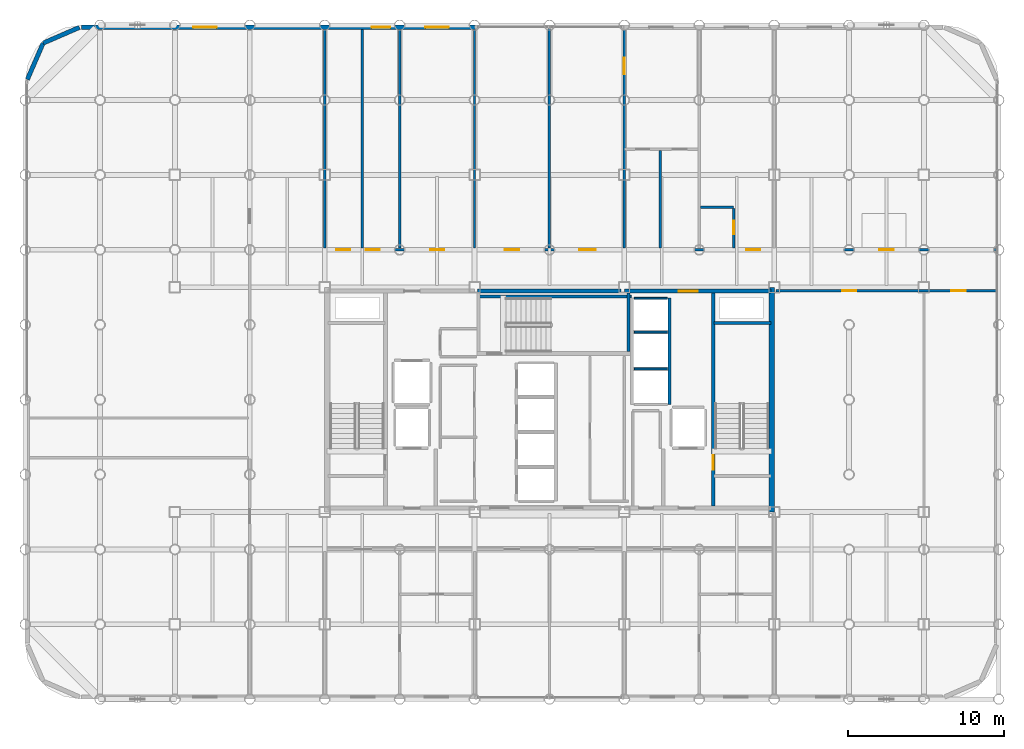
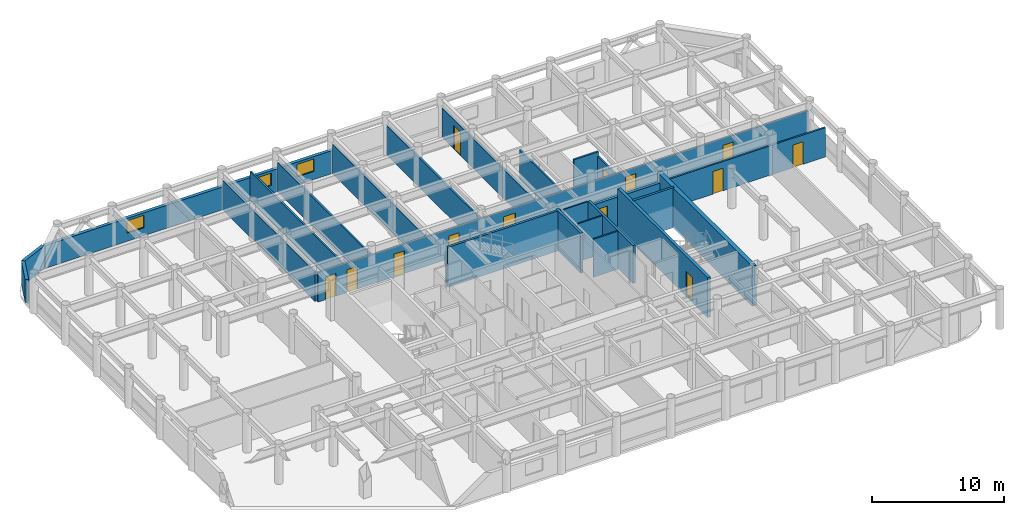
# One storey, part 18 of 21: 25 walls, 13 doors, 3 windows, 16 openings.
"""IFC4 building model written with IfcOpenShell, lengths in metres."""

from ifc_helpers import new_model, si_unit, direction, frame, frame_2d, origin, place, context, subcontext, project, spatial, rectangle, extrude, material, layer, layer_set, type_object, element, fill, save


model = new_model("IFC4")

# Units and contexts
model_context = context("Model", 3, precision=1e-05, world=origin(), true_north=direction((0.0, 1.0)))
body_context = subcontext(model_context, "Body", "Model", "MODEL_VIEW")
ifc_project = project(units=[si_unit("LENGTHUNIT", "METRE"), si_unit("AREAUNIT", "SQUARE_METRE"), si_unit("VOLUMEUNIT", "CUBIC_METRE"), si_unit("PLANEANGLEUNIT", "RADIAN"), si_unit("MASSUNIT", "GRAM", prefix="KILO")], contexts=[model_context])

# Site, building, storey
site_placement = place(None, origin())
site = spatial("IfcSite", under=ifc_project, at=site_placement, CompositionType="ELEMENT")
building_placement = place(site_placement, origin())
building = spatial("IfcBuilding", under=site, at=building_placement, Name="Kallvorn Hotel Tower", CompositionType="ELEMENT")
storey_placement = place(building_placement, frame((0.0, 0.0, 139.60009765625)))
storey = spatial("IfcBuildingStorey", under=building, at=storey_placement, Name="L34", CompositionType="ELEMENT", Elevation=139.60009765625)

# Wall
ifc_material_1 = material(Name="Concrete C50/60", Category="concrete")
ifc_layer_1 = layer(ifc_material_1, 0.35009765625)
ifc_layer_set_1 = layer_set([ifc_layer_1], Name="WL_CORE_350")
wall_type_1 = type_object("IfcWallType", Name="WL_CORE_350", PredefinedType="SHEAR", material=ifc_layer_set_1)
wall_1_placement = place(storey_placement, frame((14.239990234375, -7.199951171875, -0.18017578125), z_axis=(0.0, 0.0, 1.0), x_axis=(0.0, 1.0, 0.0)))
element("IfcWall", 1, at=wall_1_placement, inside=storey, type_object=wall_type_1, Name="L34 Core East Shear Wall", PredefinedType="SHEAR", context=body_context, shape_type="SweptSolid", body=[
    extrude(rectangle(XDim=14.39990234375, YDim=0.35009765625, at=frame_2d((7.199951171875, 0.0))), origin(), (0.0, 0.0, 1.0), 3.7001953125),
])

# Wall, openings, doors
ifc_material_2 = material(Name="Fire-rated double-layer acoustic gypsum drywall EI 60")
ifc_layer_2 = layer(ifc_material_2, 0.159912109375)
ifc_layer_set_2 = layer_set([ifc_layer_2], Name="WL_DEMISE_160")
wall_type_2 = type_object("IfcWallType", Name="WL_DEMISE_160", PredefinedType="PARTITIONING", material=ifc_layer_set_2)
wall_2_placement = place(storey_placement, frame((-14.320068359375, 9.60009765625, 0.0), z_axis=(0.0, 0.0, 1.0), x_axis=(1.0, 0.0, 0.0)))
wall_2 = element("IfcWall", 2, at=wall_2_placement, inside=storey, type_object=wall_type_2, Name="L34 Suite 3403 Junior Living Salon Partition", PredefinedType="PARTITIONING", context=body_context, shape_type="SweptSolid", body=[
    extrude(rectangle(XDim=42.949951171875, YDim=0.159912109375, at=frame_2d((21.47509765625, 0.0))), origin(), (0.0, 0.0, 1.0), 2.719970703125),
])
opening_1_placement = place(wall_2_placement, frame((35.469970703125, 0.0, 0.0)))
opening_1 = element("IfcOpeningElement", 3, at=opening_1_placement, cuts=wall_2, Name="Opening SVD1", PredefinedType="OPENING", context=body_context, shape_type="SweptSolid", body=[
    extrude(rectangle(XDim=0.89990234375, YDim=2.10009765625, at=frame_2d((0.449951171875, 1.050048828125))), frame((0.0, 0.094970703125, 0.0), z_axis=(0.0, -1.0, 0.0), x_axis=(1.0, 0.0, 0.0)), (0.0, 0.0, 1.0), 0.18994140625),
])
opening_2_placement = place(wall_2_placement, frame((0.669921875, 0.0, 0.0)))
opening_2 = element("IfcOpeningElement", 4, at=opening_2_placement, cuts=wall_2, Name="Opening SVD1", PredefinedType="OPENING", context=body_context, shape_type="SweptSolid", body=[
    extrude(rectangle(XDim=0.89990234375, YDim=2.10009765625, at=frame_2d((0.449951171875, 1.050048828125))), frame((0.0, 0.094970703125, 0.0), z_axis=(0.0, -1.0, 0.0), x_axis=(1.0, 0.0, 0.0)), (0.0, 0.0, 1.0), 0.18994140625),
])
opening_3_placement = place(wall_2_placement, frame((2.56005859375, 0.0, 0.0)))
opening_3 = element("IfcOpeningElement", 5, at=opening_3_placement, cuts=wall_2, Name="Opening SVD1", PredefinedType="OPENING", context=body_context, shape_type="SweptSolid", body=[
    extrude(rectangle(XDim=0.89990234375, YDim=2.10009765625, at=frame_2d((0.449951171875, 1.050048828125))), frame((0.0, 0.094970703125, 0.0), z_axis=(0.0, -1.0, 0.0), x_axis=(1.0, 0.0, 0.0)), (0.0, 0.0, 1.0), 0.18994140625),
])
opening_4_placement = place(wall_2_placement, frame((6.669921875, 0.0, 0.0)))
opening_4 = element("IfcOpeningElement", 6, at=opening_4_placement, cuts=wall_2, Name="Opening SVD1", PredefinedType="OPENING", context=body_context, shape_type="SweptSolid", body=[
    extrude(rectangle(XDim=0.89990234375, YDim=2.10009765625, at=frame_2d((0.449951171875, 1.050048828125))), frame((0.0, 0.094970703125, 0.0), z_axis=(0.0, -1.0, 0.0), x_axis=(1.0, 0.0, 0.0)), (0.0, 0.0, 1.0), 0.18994140625),
])
opening_5_placement = place(wall_2_placement, frame((11.469970703125, 0.0, 0.0)))
opening_5 = element("IfcOpeningElement", 7, at=opening_5_placement, cuts=wall_2, Name="Opening SVD1", PredefinedType="OPENING", context=body_context, shape_type="SweptSolid", body=[
    extrude(rectangle(XDim=0.89990234375, YDim=2.10009765625, at=frame_2d((0.449951171875, 1.050048828125))), frame((0.0, 0.094970703125, 0.0), z_axis=(0.0, -1.0, 0.0), x_axis=(1.0, 0.0, 0.0)), (0.0, 0.0, 1.0), 0.18994140625),
])
opening_6_placement = place(wall_2_placement, frame((16.235107421875, 0.0, 0.0)))
opening_6 = element("IfcOpeningElement", 8, at=opening_6_placement, cuts=wall_2, Name="Opening GD2", PredefinedType="OPENING", context=body_context, shape_type="SweptSolid", body=[
    extrude(rectangle(XDim=1.050048828125, YDim=2.199951171875, at=frame_2d((0.52490234375, 1.10009765625))), frame((0.0, 0.094970703125, 0.0), z_axis=(0.0, -1.0, 0.0), x_axis=(1.0, 0.0, 0.0)), (0.0, 0.0, 1.0), 0.18994140625),
])
opening_7_placement = place(wall_2_placement, frame((26.925048828125, 0.0, 0.0)))
opening_7 = element("IfcOpeningElement", 9, at=opening_7_placement, cuts=wall_2, Name="Opening GD1", PredefinedType="OPENING", context=body_context, shape_type="SweptSolid", body=[
    extrude(rectangle(XDim=0.919921875, YDim=2.14990234375, at=frame_2d((0.4599609375, 1.074951171875))), frame((0.0, 0.094970703125, 0.0), z_axis=(0.0, -1.0, 0.0), x_axis=(1.0, 0.0, 0.0)), (0.0, 0.0, 1.0), 0.18994140625),
])
ifc_material_3 = material(Name="Solid-core walnut veneer fire-rated timber door leaf", Category="wood")
door_type_1 = type_object("IfcDoorType", Name="DR_GUEST_920x2150", OperationType="NOTDEFINED", PredefinedType="DOOR", material=ifc_material_3)
door_1_placement = place(opening_7_placement, origin())
door_1 = element("IfcDoor", 10, at=door_1_placement, inside=storey, type_object=door_type_1, Name="L34 Suite 3404 Standard Twin Room Door", OperationType="SINGLE_SWING_RIGHT", OverallHeight=2.14990234375, OverallWidth=0.919921875, PredefinedType="DOOR", context=body_context, shape_type="SweptSolid", body=[
    extrude(rectangle(XDim=0.919921875, YDim=2.14990234375, at=frame_2d((0.4599609375, 1.074951171875))), frame((0.0, 0.02490234375, 0.0), z_axis=(0.0, -1.0, 0.0), x_axis=(1.0, 0.0, 0.0)), (0.0, 0.0, 1.0), 0.050048828125),
])
fill(opening_7, door_1)
ifc_material_4 = material(Name="Galvanised painted steel fire-rated door assembly", Category="steel")
door_type_2 = type_object("IfcDoorType", Name="DR_SERV_900x2100", OperationType="NOTDEFINED", PredefinedType="DOOR", material=ifc_material_4)
door_2_placement = place(opening_1_placement, origin())
door_2 = element("IfcDoor", 11, at=door_2_placement, inside=storey, type_object=door_type_2, Name="L34 L34 North-East Monserrate Banquet Hall Door", OperationType="SINGLE_SWING_LEFT", OverallHeight=2.10009765625, OverallWidth=0.89990234375, PredefinedType="DOOR", context=body_context, shape_type="SweptSolid", body=[
    extrude(rectangle(XDim=0.89990234375, YDim=2.10009765625, at=frame_2d((0.449951171875, 1.050048828125))), frame((0.0, 0.02490234375, 0.0), z_axis=(0.0, -1.0, 0.0), x_axis=(1.0, 0.0, 0.0)), (0.0, 0.0, 1.0), 0.050048828125),
])
fill(opening_1, door_2)
door_3_placement = place(opening_2_placement, origin())
door_3 = element("IfcDoor", 12, at=door_3_placement, inside=storey, type_object=door_type_2, Name="L34 Housekeeping and Linen Room Door", OperationType="SINGLE_SWING_LEFT", OverallHeight=2.10009765625, OverallWidth=0.89990234375, PredefinedType="DOOR", context=body_context, shape_type="SweptSolid", body=[
    extrude(rectangle(XDim=0.89990234375, YDim=2.10009765625, at=frame_2d((0.449951171875, 1.050048828125))), frame((0.0, 0.02490234375, 0.0), z_axis=(0.0, -1.0, 0.0), x_axis=(1.0, 0.0, 0.0)), (0.0, 0.0, 1.0), 0.050048828125),
])
fill(opening_2, door_3)
door_4_placement = place(opening_3_placement, origin())
door_4 = element("IfcDoor", 13, at=door_4_placement, inside=storey, type_object=door_type_2, Name="L34 Guest Tea and Refreshment Bar Door", OperationType="SINGLE_SWING_RIGHT", OverallHeight=2.10009765625, OverallWidth=0.89990234375, PredefinedType="DOOR", context=body_context, shape_type="SweptSolid", body=[
    extrude(rectangle(XDim=0.89990234375, YDim=2.10009765625, at=frame_2d((0.449951171875, 1.050048828125))), frame((0.0, 0.02490234375, 0.0), z_axis=(0.0, -1.0, 0.0), x_axis=(1.0, 0.0, 0.0)), (0.0, 0.0, 1.0), 0.050048828125),
])
fill(opening_3, door_4)
door_5_placement = place(opening_4_placement, origin())
door_5 = element("IfcDoor", 14, at=door_5_placement, inside=storey, type_object=door_type_2, Name="L34 L34 Diplomatic Summit Conference Boardroom 2-1 Door", OperationType="SINGLE_SWING_RIGHT", OverallHeight=2.10009765625, OverallWidth=0.89990234375, PredefinedType="DOOR", context=body_context, shape_type="SweptSolid", body=[
    extrude(rectangle(XDim=0.89990234375, YDim=2.10009765625, at=frame_2d((0.449951171875, 1.050048828125))), frame((0.0, 0.02490234375, 0.0), z_axis=(0.0, -1.0, 0.0), x_axis=(1.0, 0.0, 0.0)), (0.0, 0.0, 1.0), 0.050048828125),
])
fill(opening_4, door_5)
door_6_placement = place(opening_5_placement, origin())
door_6 = element("IfcDoor", 15, at=door_6_placement, inside=storey, type_object=door_type_2, Name="L34 L34 Diplomatic Summit Conference Boardroom 2-2 Door", OperationType="SINGLE_SWING_LEFT", OverallHeight=2.10009765625, OverallWidth=0.89990234375, PredefinedType="DOOR", context=body_context, shape_type="SweptSolid", body=[
    extrude(rectangle(XDim=0.89990234375, YDim=2.10009765625, at=frame_2d((0.449951171875, 1.050048828125))), frame((0.0, 0.02490234375, 0.0), z_axis=(0.0, -1.0, 0.0), x_axis=(1.0, 0.0, 0.0)), (0.0, 0.0, 1.0), 0.050048828125),
])
fill(opening_5, door_6)
ifc_material_5 = material(Name="Solid-core walnut veneer fire-rated timber door leaf", Category="wood")
door_type_3 = type_object("IfcDoorType", Name="DR_SUITE_1050x2200", OperationType="NOTDEFINED", PredefinedType="DOOR", material=ifc_material_5)
door_7_placement = place(opening_6_placement, origin())
door_7 = element("IfcDoor", 16, at=door_7_placement, inside=storey, type_object=door_type_3, Name="L34 Suite 3403 Junior Living Salon Door", OperationType="SINGLE_SWING_RIGHT", OverallHeight=2.199951171875, OverallWidth=1.050048828125, PredefinedType="DOOR", context=body_context, shape_type="SweptSolid", body=[
    extrude(rectangle(XDim=1.050048828125, YDim=2.199951171875, at=frame_2d((0.52490234375, 1.10009765625))), frame((0.0, 0.02490234375, 0.0), z_axis=(0.0, -1.0, 0.0), x_axis=(1.0, 0.0, 0.0)), (0.0, 0.0, 1.0), 0.050048828125),
])
fill(opening_6, door_7)

# Walls
wall_3_placement = place(storey_placement, frame((9.679931640625, 12.320068359375, 0.0), z_axis=(0.0, 0.0, 1.0), x_axis=(1.0, 0.0, 0.0)))
element("IfcWall", 17, at=wall_3_placement, inside=storey, type_object=wall_type_2, Name="L34 Suite 3404 Standard Twin Room Partition", PredefinedType="PARTITIONING", context=body_context, shape_type="SweptSolid", body=[
    extrude(rectangle(XDim=2.130126953125, YDim=0.159912109375, at=frame_2d((1.06494140625, 0.0))), origin(), (0.0, 0.0, 1.0), 3.119873046875),
])
wall_4_placement = place(storey_placement, frame((0.0, 9.719970703125, 0.0), z_axis=(0.0, 0.0, 1.0), x_axis=(0.0, 1.0, 0.0)))
element("IfcWall", 18, at=wall_4_placement, inside=storey, type_object=wall_type_2, Name="L34 Suite 3403 Junior Living Salon Partition", PredefinedType="PARTITIONING", context=body_context, shape_type="SweptSolid", body=[
    extrude(rectangle(XDim=14.074951171875, YDim=0.159912109375, at=frame_2d((7.03759765625, 0.0))), origin(), (0.0, 0.0, 1.0), 2.719970703125),
])

# Wall, opening, door
wall_5_placement = place(storey_placement, frame((4.800048828125, 9.719970703125, 0.0), z_axis=(0.0, 0.0, 1.0), x_axis=(0.0, 1.0, 0.0)))
wall_5 = element("IfcWall", 19, at=wall_5_placement, inside=storey, type_object=wall_type_2, Name="L34 Suite 3403 Junior Living Salon Partition", PredefinedType="PARTITIONING", context=body_context, shape_type="SweptSolid", body=[
    extrude(rectangle(XDim=13.989990234375, YDim=0.159912109375, at=frame_2d((6.9951171875, 0.0))), origin(), (0.0, 0.0, 1.0), 2.719970703125),
])
opening_8_placement = place(wall_5_placement, frame((11.136962890625, 0.0, 0.0)))
opening_8 = element("IfcOpeningElement", 20, at=opening_8_placement, cuts=wall_5, Name="Opening GD2", PredefinedType="OPENING", context=body_context, shape_type="SweptSolid", body=[
    extrude(rectangle(XDim=1.050048828125, YDim=2.199951171875, at=frame_2d((0.52490234375, 1.10009765625))), frame((0.0, 0.094970703125, 0.0), z_axis=(0.0, -1.0, 0.0), x_axis=(1.0, 0.0, 0.0)), (0.0, 0.0, 1.0), 0.18994140625),
])
door_8_placement = place(opening_8_placement, origin())
door_8 = element("IfcDoor", 21, at=door_8_placement, inside=storey, type_object=door_type_3, Name="L34 Suite 3403 Junior Bedroom Door", OperationType="SINGLE_SWING_LEFT", OverallHeight=2.199951171875, OverallWidth=1.050048828125, PredefinedType="DOOR", context=body_context, shape_type="SweptSolid", body=[
    extrude(rectangle(XDim=1.050048828125, YDim=2.199951171875, at=frame_2d((0.52490234375, 1.10009765625))), frame((0.0, 0.02490234375, 0.0), z_axis=(0.0, -1.0, 0.0), x_axis=(1.0, 0.0, 0.0)), (0.0, 0.0, 1.0), 0.050048828125),
])
fill(opening_8, door_8)

wall_6_placement = place(storey_placement, frame((11.81005859375, 9.719970703125, 0.0), z_axis=(0.0, 0.0, 1.0), x_axis=(0.0, 1.0, 0.0)))
wall_6 = element("IfcWall", 22, at=wall_6_placement, inside=storey, type_object=wall_type_2, Name="L34 Suite 3404 Standard Twin Room Partition", PredefinedType="PARTITIONING", context=body_context, shape_type="SweptSolid", body=[
    extrude(rectangle(XDim=2.51513671875, YDim=0.159912109375, at=frame_2d((1.257568359375, 0.0))), origin(), (0.0, 0.0, 1.0), 2.719970703125),
])
opening_9_placement = place(wall_6_placement, frame((0.8701171875, 0.0, 0.0)))
opening_9 = element("IfcOpeningElement", 23, at=opening_9_placement, cuts=wall_6, Name="Opening BD-I", PredefinedType="OPENING", context=body_context, shape_type="SweptSolid", body=[
    extrude(rectangle(XDim=0.860107421875, YDim=2.10009765625, at=frame_2d((0.43017578125, 1.050048828125))), frame((0.0, 0.094970703125, 0.0), z_axis=(0.0, -1.0, 0.0), x_axis=(1.0, 0.0, 0.0)), (0.0, 0.0, 1.0), 0.18994140625),
])
ifc_material_6 = material(Name="Solid-core walnut veneer fire-rated timber door leaf", Category="wood")
door_type_4 = type_object("IfcDoorType", Name="DR_BATH_860x2100", OperationType="NOTDEFINED", PredefinedType="DOOR", material=ifc_material_6)
door_9_placement = place(opening_9_placement, origin())
door_9 = element("IfcDoor", 24, at=door_9_placement, inside=storey, type_object=door_type_4, Name="L34 Suite 3404 En-Suite Bathroom Door", OperationType="SINGLE_SWING_RIGHT", OverallHeight=2.10009765625, OverallWidth=0.860107421875, PredefinedType="DOOR", context=body_context, shape_type="SweptSolid", body=[
    extrude(rectangle(XDim=0.860107421875, YDim=2.10009765625, at=frame_2d((0.43017578125, 1.050048828125))), frame((0.0, 0.02490234375, 0.0), z_axis=(0.0, -1.0, 0.0), x_axis=(1.0, 0.0, 0.0)), (0.0, 0.0, 1.0), 0.050048828125),
])
fill(opening_9, door_9)

# Walls
ifc_material_7 = material(Name="Precast basalt-clad insulated concrete wall C40/50", Category="masonry")
ifc_layer_3 = layer(ifc_material_7, 0.280029296875)
ifc_layer_set_3 = layer_set([ifc_layer_3], Name="WL_EXT_LOGGIA_280")
wall_type_3 = type_object("IfcWallType", Name="WL_EXT_LOGGIA_280", PredefinedType="SOLIDWALL", material=ifc_layer_set_3)
wall_7_placement = place(storey_placement, frame((-30.120849609375, 23.85791015625, 0.0), z_axis=(0.0, 0.0, 1.0), x_axis=(-0.917060872934, -0.398747232384, 0.0)))
element("IfcWall", 25, at=wall_7_placement, inside=storey, type_object=wall_type_3, Name="L34 Rounded Corner Exterior Wall NW1", PredefinedType="SOLIDWALL", context=body_context, shape_type="SweptSolid", body=[
    extrude(rectangle(XDim=2.5361328125, YDim=0.280029296875, at=frame_2d((1.26806640625, 0.0))), origin(), (0.0, 0.0, 1.0), 2.119873046875),
])
wall_8_placement = place(storey_placement, frame((-32.446533203125, 22.8466796875, 0.0), z_axis=(0.0, 0.0, 1.0), x_axis=(-0.398792985289, -0.917040977756, 0.0)))
element("IfcWall", 26, at=wall_8_placement, inside=storey, type_object=wall_type_3, Name="L34 Rounded Corner Exterior Wall NW2", PredefinedType="SOLIDWALL", context=body_context, shape_type="SweptSolid", body=[
    extrude(rectangle(XDim=2.536376953125, YDim=0.280029296875, at=frame_2d((1.26806640625, 0.0))), origin(), (0.0, 0.0, 1.0), 2.119873046875),
])

# Wall, openings, windows
wall_9_placement = place(storey_placement, frame((-30.0, 23.860107421875, 0.0), z_axis=(0.0, 0.0, 1.0), x_axis=(1.0, 0.0, 0.0)))
wall_9 = element("IfcWall", 27, at=wall_9_placement, inside=storey, type_object=wall_type_3, Name="L34 Exterior Envelope Wall EW-L34-NW", PredefinedType="SOLIDWALL", context=body_context, shape_type="SweptSolid", body=[
    extrude(rectangle(XDim=25.25, YDim=0.280029296875, at=frame_2d((12.625, 0.0))), origin(), (0.0, 0.0, 1.0), 2.119873046875),
])
opening_10_placement = place(wall_9_placement, frame((7.1630859375, 0.0, 0.75)))
opening_10 = element("IfcOpeningElement", 28, at=opening_10_placement, cuts=wall_9, Name="Opening W05A", PredefinedType="OPENING", context=body_context, shape_type="SweptSolid", body=[
    extrude(rectangle(XDim=1.5, YDim=1.14990234375, at=frame_2d((0.75, 0.574951171875))), frame((0.0, 0.155029296875, 0.0), z_axis=(0.0, -1.0, 0.0), x_axis=(1.0, 0.0, 0.0)), (0.0, 0.0, 1.0), 0.31005859375),
])
opening_11_placement = place(wall_9_placement, frame((18.60009765625, 0.0, 0.75)))
opening_11 = element("IfcOpeningElement", 29, at=opening_11_placement, cuts=wall_9, Name="Opening W06A", PredefinedType="OPENING", context=body_context, shape_type="SweptSolid", body=[
    extrude(rectangle(XDim=1.199951171875, YDim=1.14990234375, at=frame_2d((0.60009765625, 0.574951171875))), frame((0.0, 0.155029296875, 0.0), z_axis=(0.0, -1.0, 0.0), x_axis=(1.0, 0.0, 0.0)), (0.0, 0.0, 1.0), 0.31005859375),
])
opening_12_placement = place(wall_9_placement, frame((22.050048828125, 0.0, 0.75)))
opening_12 = element("IfcOpeningElement", 30, at=opening_12_placement, cuts=wall_9, Name="Opening W05A", PredefinedType="OPENING", context=body_context, shape_type="SweptSolid", body=[
    extrude(rectangle(XDim=1.5, YDim=1.14990234375, at=frame_2d((0.75, 0.574951171875))), frame((0.0, 0.155029296875, 0.0), z_axis=(0.0, -1.0, 0.0), x_axis=(1.0, 0.0, 0.0)), (0.0, 0.0, 1.0), 0.31005859375),
])
ifc_material_8 = material(Name="Triple-glazed low-e acoustic solar-control dark glass", Category="glass")
window_type_1 = type_object("IfcWindowType", Name="WN_HTL_1200x1150", PartitioningType="SINGLE_PANEL", PredefinedType="WINDOW", material=ifc_material_8)
window_1_placement = place(opening_11_placement, origin())
window_1 = element("IfcWindow", 31, at=window_1_placement, inside=storey, type_object=window_type_1, Name="L34 Guestroom Exterior Window 09", OverallHeight=1.14990234375, OverallWidth=1.199951171875, PartitioningType="SINGLE_PANEL", PredefinedType="WINDOW", context=body_context, shape_type="SweptSolid", body=[
    extrude(rectangle(XDim=1.199951171875, YDim=1.14990234375, at=frame_2d((0.60009765625, 0.574951171875))), frame((0.0, 0.030029296875, 0.0), z_axis=(0.0, -1.0, 0.0), x_axis=(1.0, 0.0, 0.0)), (0.0, 0.0, 1.0), 0.06005859375),
])
fill(opening_11, window_1)
ifc_material_9 = material(Name="Double-glazed low-e solar-control dark glass", Category="glass")
window_type_2 = type_object("IfcWindowType", Name="WN_HTL_1500x1150", PartitioningType="SINGLE_PANEL", PredefinedType="WINDOW", material=ifc_material_9)
window_2_placement = place(opening_10_placement, origin())
window_2 = element("IfcWindow", 32, at=window_2_placement, inside=storey, type_object=window_type_2, Name="L34 Guestroom Exterior Window 02", OverallHeight=1.14990234375, OverallWidth=1.5, PartitioningType="SINGLE_PANEL", PredefinedType="WINDOW", context=body_context, shape_type="SweptSolid", body=[
    extrude(rectangle(XDim=1.5, YDim=1.14990234375, at=frame_2d((0.75, 0.574951171875))), frame((0.0, 0.030029296875, 0.0), z_axis=(0.0, -1.0, 0.0), x_axis=(1.0, 0.0, 0.0)), (0.0, 0.0, 1.0), 0.06005859375),
])
fill(opening_10, window_2)
window_3_placement = place(opening_12_placement, origin())
window_3 = element("IfcWindow", 33, at=window_3_placement, inside=storey, type_object=window_type_2, Name="L34 Guestroom Exterior Window 10", OverallHeight=1.14990234375, OverallWidth=1.5, PartitioningType="SINGLE_PANEL", PredefinedType="WINDOW", context=body_context, shape_type="SweptSolid", body=[
    extrude(rectangle(XDim=1.5, YDim=1.14990234375, at=frame_2d((0.75, 0.574951171875))), frame((0.0, 0.030029296875, 0.0), z_axis=(0.0, -1.0, 0.0), x_axis=(1.0, 0.0, 0.0)), (0.0, 0.0, 1.0), 0.06005859375),
])
fill(opening_12, window_3)

# Walls
ifc_material_10 = material(Name="Concrete C40/50", Category="concrete")
ifc_layer_4 = layer(ifc_material_10, 0.199951171875)
ifc_layer_set_4 = layer_set([ifc_layer_4], Name="WL_HOIST_200")
wall_type_4 = type_object("IfcWallType", Name="WL_HOIST_200", PredefinedType="SOLIDWALL", material=ifc_layer_set_4)
wall_10_placement = place(storey_placement, frame((10.550048828125, 4.89990234375, -0.18017578125), z_axis=(0.0, 0.0, 1.0), x_axis=(1.0, 0.0, 0.0)))
element("IfcWall", 34, at=wall_10_placement, inside=storey, type_object=wall_type_4, Name="L34 Stair ST2 North Wall", PredefinedType="SOLIDWALL", context=body_context, shape_type="SweptSolid", body=[
    extrude(rectangle(XDim=3.64990234375, YDim=0.199951171875, at=frame_2d((1.824951171875, 0.0))), origin(), (0.0, 0.0, 1.0), 3.7001953125),
])
wall_11_placement = place(storey_placement, frame((-4.64990234375, 6.610107421875, -0.18017578125), z_axis=(0.0, 0.0, 1.0), x_axis=(1.0, 0.0, 0.0)))
element("IfcWall", 35, at=wall_11_placement, inside=storey, type_object=wall_type_4, Name="L34 Stair ST3 Shaft North Wall", PredefinedType="SOLIDWALL", context=body_context, shape_type="SweptSolid", body=[
    extrude(rectangle(XDim=9.89990234375, YDim=0.199951171875, at=frame_2d((4.949951171875, 0.0))), origin(), (0.0, 0.0, 1.0), 3.7001953125),
])
wall_12_placement = place(storey_placement, frame((5.06005859375, 3.080078125, -0.18017578125), z_axis=(0.0, 0.0, 1.0), x_axis=(0.0, 1.0, 0.0)))
element("IfcWall", 36, at=wall_12_placement, inside=storey, type_object=wall_type_4, Name="L34 Stair ST3 East Wall", PredefinedType="SOLIDWALL", context=body_context, shape_type="SweptSolid", body=[
    extrude(rectangle(XDim=3.739990234375, YDim=0.199951171875, at=frame_2d((1.8701171875, 0.0))), origin(), (0.0, 0.0, 1.0), 3.7001953125),
])
wall_13_placement = place(storey_placement, frame((7.699951171875, -0.300048828125, 0.0), z_axis=(0.0, 0.0, 1.0), x_axis=(0.0, 1.0, 0.0)))
element("IfcWall", 37, at=wall_13_placement, inside=storey, type_object=wall_type_4, Name="L34 Lift Bank OBS Landing Wall", PredefinedType="SOLIDWALL", context=body_context, shape_type="SweptSolid", body=[
    extrude(rectangle(XDim=6.800048828125, YDim=0.199951171875, at=frame_2d((3.39990234375, 0.0))), origin(), (0.0, 0.0, 1.0), 3.52001953125),
])
ifc_material_11 = material(Name="Fire-rated double-layer acoustic gypsum drywall EI 60")
ifc_layer_5 = layer(ifc_material_11, 0.1201171875)
ifc_layer_set_5 = layer_set([ifc_layer_5], Name="WL_INT_120")
wall_type_5 = type_object("IfcWallType", Name="WL_INT_120", PredefinedType="PARTITIONING", material=ifc_layer_set_5)
for number, where, z_axis, x_axis, name in (
    (38, (5.43994140625, 1.97509765625, 0.0), (0.0, 0.0, 1.0), (1.0, 0.0, 0.0), "L34 OB-01 Hoistway Divider"),
    (39, (5.43994140625, 4.324951171875, 0.0), (0.0, 0.0, 1.0), (1.0, 0.0, 0.0), "L34 OB-02 Hoistway Divider"),
    (40, (5.43994140625, 6.5, 0.0), (0.0, 0.0, 1.0), (1.0, 0.0, 0.0), "L34 OB-03 Hoistway Divider"),
):
    element("IfcWall", number, at=place(storey_placement, frame(where, z_axis=z_axis, x_axis=x_axis)), inside=storey, type_object=wall_type_5, Name=name, PredefinedType="PARTITIONING", context=body_context, shape_type="SweptSolid", body=[
        extrude(rectangle(XDim=2.1201171875, YDim=0.1201171875, at=frame_2d((1.06005859375, 0.0))), origin(), (0.0, 0.0, 1.0), 3.52001953125),
    ])

# Wall, openings, doors
ifc_material_12 = material(Name="Fire-rated double-layer acoustic gypsum drywall EI 60")
ifc_layer_6 = layer(ifc_material_12, 0.14990234375)
ifc_layer_set_6 = layer_set([ifc_layer_6], Name="WL_PART_150")
wall_type_6 = type_object("IfcWallType", Name="WL_PART_150", PredefinedType="PARTITIONING", material=ifc_layer_set_6)
wall_14_placement = place(storey_placement, frame((14.52001953125, 6.97998046875, 0.0), z_axis=(0.0, 0.0, 1.0), x_axis=(1.0, 0.0, 0.0)))
wall_14 = element("IfcWall", 41, at=wall_14_placement, inside=storey, type_object=wall_type_6, Name="L34 L34 South-East Cocktail Bar Partition", PredefinedType="PARTITIONING", context=body_context, shape_type="SweptSolid", body=[
    extrude(rectangle(XDim=14.10986328125, YDim=0.14990234375, at=frame_2d((7.054931640625, 0.0))), origin(), (0.0, 0.0, 1.0), 2.719970703125),
])
opening_13_placement = place(wall_14_placement, frame((4.22998046875, 0.0, 0.0)))
opening_13 = element("IfcOpeningElement", 42, at=opening_13_placement, cuts=wall_14, Name="Opening SVD1", PredefinedType="OPENING", context=body_context, shape_type="SweptSolid", body=[
    extrude(rectangle(XDim=0.89990234375, YDim=2.10009765625, at=frame_2d((0.449951171875, 1.050048828125))), frame((0.0, 0.08984375, 0.0), z_axis=(0.0, -1.0, 0.0), x_axis=(1.0, 0.0, 0.0)), (0.0, 0.0, 1.0), 0.179931640625),
])
opening_14_placement = place(wall_14_placement, frame((11.2451171875, 0.0, 0.0)))
opening_14 = element("IfcOpeningElement", 43, at=opening_14_placement, cuts=wall_14, Name="Opening SVD1", PredefinedType="OPENING", context=body_context, shape_type="SweptSolid", body=[
    extrude(rectangle(XDim=0.89990234375, YDim=2.10009765625, at=frame_2d((0.449951171875, 1.050048828125))), frame((0.0, 0.08984375, 0.0), z_axis=(0.0, -1.0, 0.0), x_axis=(1.0, 0.0, 0.0)), (0.0, 0.0, 1.0), 0.179931640625),
])
door_10_placement = place(opening_13_placement, origin())
door_10 = element("IfcDoor", 44, at=door_10_placement, inside=storey, type_object=door_type_2, Name="L34 L34 South-East Cocktail Bar Door", OperationType="SINGLE_SWING_RIGHT", OverallHeight=2.10009765625, OverallWidth=0.89990234375, PredefinedType="DOOR", context=body_context, shape_type="SweptSolid", body=[
    extrude(rectangle(XDim=0.89990234375, YDim=2.10009765625, at=frame_2d((0.449951171875, 1.050048828125))), frame((0.0, 0.02490234375, 0.0), z_axis=(0.0, -1.0, 0.0), x_axis=(1.0, 0.0, 0.0)), (0.0, 0.0, 1.0), 0.050048828125),
])
fill(opening_13, door_10)
door_11_placement = place(opening_14_placement, origin())
door_11 = element("IfcDoor", 45, at=door_11_placement, inside=storey, type_object=door_type_2, Name="L34 L34 Far-East Design Boutique Door", OperationType="SINGLE_SWING_RIGHT", OverallHeight=2.10009765625, OverallWidth=0.89990234375, PredefinedType="DOOR", context=body_context, shape_type="SweptSolid", body=[
    extrude(rectangle(XDim=0.89990234375, YDim=2.10009765625, at=frame_2d((0.449951171875, 1.050048828125))), frame((0.0, 0.02490234375, 0.0), z_axis=(0.0, -1.0, 0.0), x_axis=(1.0, 0.0, 0.0)), (0.0, 0.0, 1.0), 0.050048828125),
])
fill(opening_14, door_11)

# Walls
for number, where, z_axis, x_axis, name in (
    (46, (-14.39990234375, 9.719970703125, 0.0), (0.0, 0.0, 1.0), (0.0, 1.0, 0.0), "L34 Housekeeping and Linen Room Partition"),
    (47, (-12.0, 9.719970703125, 0.0), (0.0, 0.0, 1.0), (0.0, 1.0, 0.0), "L34 Guest Tea and Refreshment Bar Partition"),
    (48, (-9.60009765625, 9.719970703125, 0.0), (0.0, 0.0, 1.0), (0.0, 1.0, 0.0), "L34 Guest Tea and Refreshment Bar Partition"),
    (49, (-4.800048828125, 9.719970703125, 0.0), (0.0, 0.0, 1.0), (0.0, 1.0, 0.0), "L34 L34 Diplomatic Summit Conference Boardroom 2-1 Partition"),
):
    element("IfcWall", number, at=place(storey_placement, frame(where, z_axis=z_axis, x_axis=x_axis)), inside=storey, type_object=wall_type_6, Name=name, PredefinedType="PARTITIONING", context=body_context, shape_type="SweptSolid", body=[
        extrude(rectangle(XDim=13.989990234375, YDim=0.14990234375, at=frame_2d((6.9951171875, 0.0))), origin(), (0.0, 0.0, 1.0), 2.719970703125),
    ])
wall_15_placement = place(storey_placement, frame((7.106689453125, 9.719970703125, 0.0), z_axis=(0.0, 0.0, 1.0), x_axis=(0.0, 1.0, 0.0)))
element("IfcWall", 50, at=wall_15_placement, inside=storey, type_object=wall_type_6, Name="L34 Suite 3403 Walk-In Dressing Closet Partition", PredefinedType="PARTITIONING", context=body_context, shape_type="SweptSolid", body=[
    extrude(rectangle(XDim=6.2451171875, YDim=0.14990234375, at=frame_2d((3.12255859375, 0.0))), origin(), (0.0, 0.0, 1.0), 2.719970703125),
])
ifc_material_13 = material(Name="Concrete C40/50", Category="concrete")
ifc_layer_7 = layer(ifc_material_13, 0.25)
ifc_layer_set_7 = layer_set([ifc_layer_7], Name="WL_SHAFT_250")
wall_type_7 = type_object("IfcWallType", Name="WL_SHAFT_250", PredefinedType="SOLIDWALL", material=ifc_layer_set_7)
wall_16_placement = place(storey_placement, frame((-4.60009765625, 6.949951171875, 0.0), z_axis=(0.0, 0.0, 1.0), x_axis=(1.0, 0.0, 0.0)))
element("IfcWall", 51, at=wall_16_placement, inside=storey, type_object=wall_type_7, Name="L34 Core North-Central Wall", PredefinedType="SOLIDWALL", context=body_context, shape_type="SweptSolid", body=[
    extrude(rectangle(XDim=9.2001953125, YDim=0.25, at=frame_2d((4.60009765625, 0.0))), origin(), (0.0, 0.0, 1.0), 2.719970703125),
])

# Wall, opening, door
wall_17_placement = place(storey_placement, frame((4.800048828125, 6.949951171875, 0.0), z_axis=(0.0, 0.0, 1.0), x_axis=(1.0, 0.0, 0.0)))
wall_17 = element("IfcWall", 52, at=wall_17_placement, inside=storey, type_object=wall_type_7, Name="L34 Core North-East Wall", PredefinedType="SOLIDWALL", context=body_context, shape_type="SweptSolid", body=[
    extrude(rectangle(XDim=9.39990234375, YDim=0.25, at=frame_2d((4.699951171875, 0.0))), origin(), (0.0, 0.0, 1.0), 2.719970703125),
])
opening_15_placement = place(wall_17_placement, frame((3.5, 0.0, 0.0)))
opening_15 = element("IfcOpeningElement", 53, at=opening_15_placement, cuts=wall_17, Name="Opening FD2", PredefinedType="OPENING", context=body_context, shape_type="SweptSolid", body=[
    extrude(rectangle(XDim=1.199951171875, YDim=2.199951171875, at=frame_2d((0.60009765625, 1.10009765625))), frame((0.0, 0.139892578125, 0.0), z_axis=(0.0, -1.0, 0.0), x_axis=(1.0, 0.0, 0.0)), (0.0, 0.0, 1.0), 0.280029296875),
])
ifc_material_14 = material(Name="Galvanised painted steel fire-rated door assembly", Category="steel")
door_type_5 = type_object("IfcDoorType", Name="DR_LOBBY_1200x2200", OperationType="DOUBLE_DOOR_SINGLE_SWING", PredefinedType="DOOR", material=ifc_material_14)
door_12_placement = place(opening_15_placement, origin())
door_12 = element("IfcDoor", 54, at=door_12_placement, inside=storey, type_object=door_type_5, Name="L34 Observatory Shuttle Lobby Door", OperationType="DOUBLE_DOOR_SINGLE_SWING", OverallHeight=2.199951171875, OverallWidth=1.199951171875, PredefinedType="DOOR", context=body_context, shape_type="SweptSolid", body=[
    extrude(rectangle(XDim=1.199951171875, YDim=2.199951171875, at=frame_2d((0.60009765625, 1.10009765625))), frame((0.0, 0.02490234375, 0.0), z_axis=(0.0, -1.0, 0.0), x_axis=(1.0, 0.0, 0.0)), (0.0, 0.0, 1.0), 0.050048828125),
])
fill(opening_15, door_12)

wall_18_placement = place(storey_placement, frame((10.5, -6.820068359375, -0.18017578125), z_axis=(0.0, 0.0, 1.0), x_axis=(0.0, 1.0, 0.0)))
wall_18 = element("IfcWall", 55, at=wall_18_placement, inside=storey, type_object=wall_type_7, Name="L34 Stair ST2 Shaft Wall", PredefinedType="SOLIDWALL", context=body_context, shape_type="SweptSolid", body=[
    extrude(rectangle(XDim=13.64013671875, YDim=0.25, at=frame_2d((6.820068359375, 0.0))), origin(), (0.0, 0.0, 1.0), 3.7001953125),
])
opening_16_placement = place(wall_18_placement, frame((2.320068359375, 0.0, 0.179931640625)))
opening_16 = element("IfcOpeningElement", 56, at=opening_16_placement, cuts=wall_18, Name="Opening SD1", PredefinedType="OPENING", context=body_context, shape_type="SweptSolid", body=[
    extrude(rectangle(XDim=0.949951171875, YDim=2.14990234375, at=frame_2d((0.47509765625, 1.074951171875))), frame((0.0, 0.139892578125, 0.0), z_axis=(0.0, -1.0, 0.0), x_axis=(1.0, 0.0, 0.0)), (0.0, 0.0, 1.0), 0.280029296875),
])
ifc_material_15 = material(Name="Galvanised painted steel fire-rated door assembly", Category="steel")
door_type_6 = type_object("IfcDoorType", Name="DR_STAIR_950x2150", OperationType="NOTDEFINED", PredefinedType="DOOR", material=ifc_material_15)
door_13_placement = place(opening_16_placement, origin())
door_13 = element("IfcDoor", 57, at=door_13_placement, inside=storey, type_object=door_type_6, Name="L34 Exit Stair ST2 Fire Door", OperationType="SINGLE_SWING_RIGHT", OverallHeight=2.14990234375, OverallWidth=0.949951171875, PredefinedType="DOOR", context=body_context, shape_type="SweptSolid", body=[
    extrude(rectangle(XDim=0.949951171875, YDim=2.14990234375, at=frame_2d((0.47509765625, 1.074951171875))), frame((0.0, 0.02490234375, 0.0), z_axis=(0.0, -1.0, 0.0), x_axis=(1.0, 0.0, 0.0)), (0.0, 0.0, 1.0), 0.050048828125),
])
fill(opening_16, door_13)

save(model, "model.ifc")
